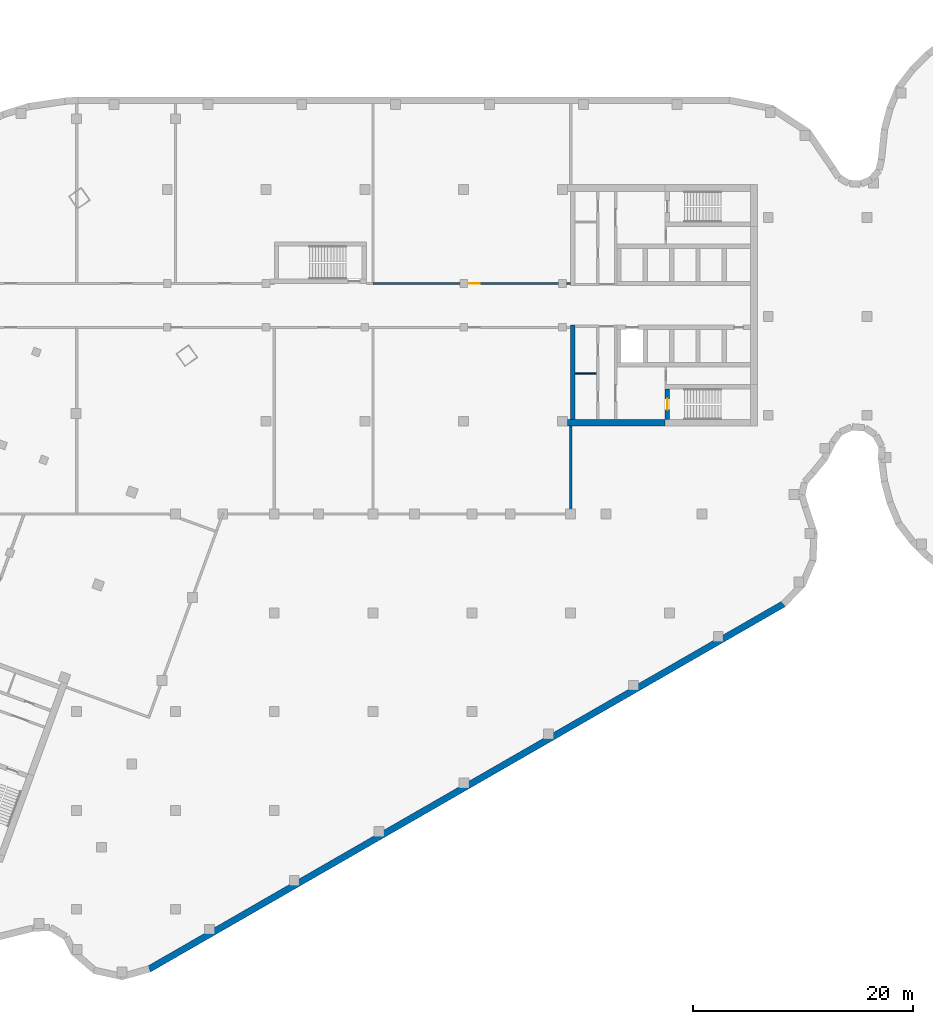
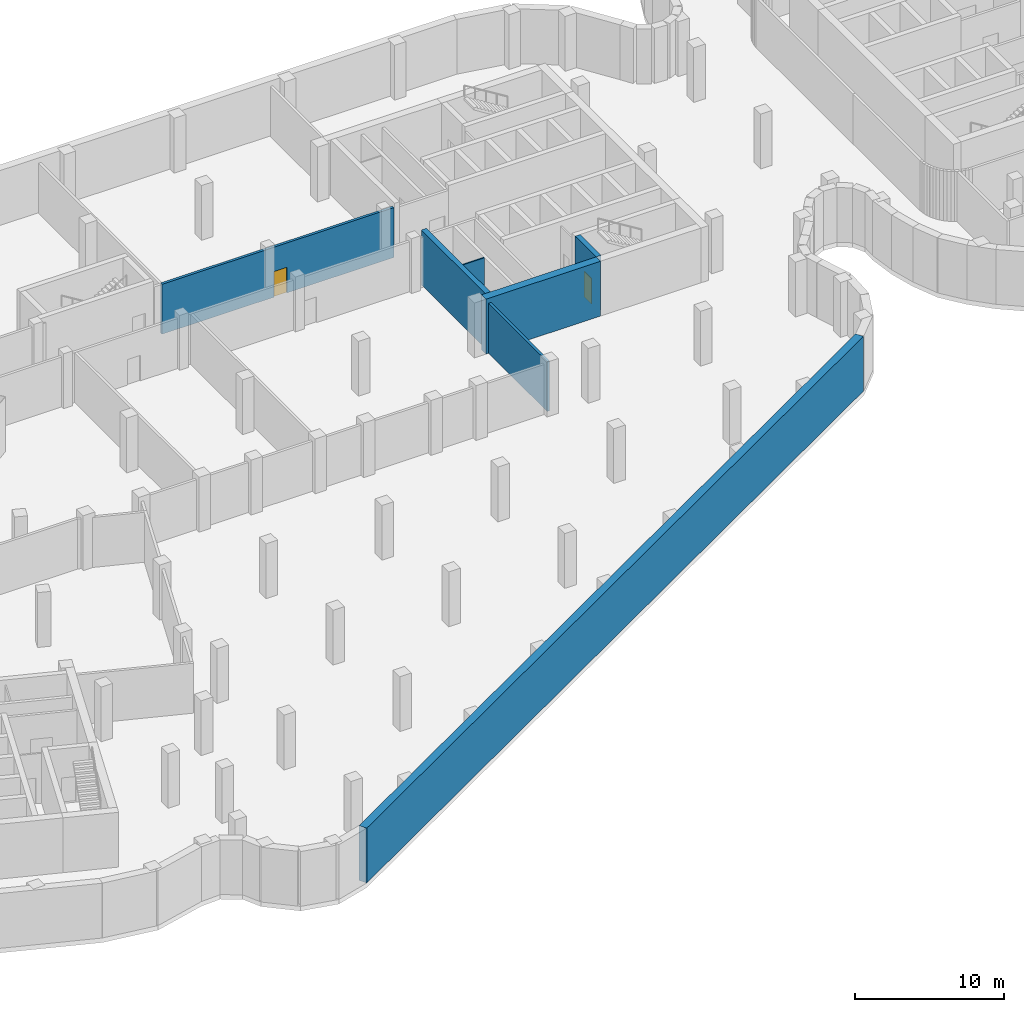
# One storey, part 6 of 16: 7 walls, 2 doors, 2 openings.
"""IFC4 building model written with IfcOpenShell, lengths in metres."""

from ifc_helpers import new_model, si_unit, direction, frame, frame_2d, origin, place, context, subcontext, project, spatial, rectangle, extrude, material, layer, layer_set, type_object, element, fill, save


model = new_model("IFC4")

# Units and contexts
model_context = context("Model", 3, precision=1e-05, world=origin(), true_north=direction((0.0, 1.0)))
body_context = subcontext(model_context, "Body", "Model", "MODEL_VIEW")
ifc_project = project(units=[si_unit("LENGTHUNIT", "METRE"), si_unit("AREAUNIT", "SQUARE_METRE"), si_unit("VOLUMEUNIT", "CUBIC_METRE"), si_unit("PLANEANGLEUNIT", "RADIAN"), si_unit("MASSUNIT", "GRAM", prefix="KILO")], contexts=[model_context])

# Site, building, storey
site_placement = place(None, origin())
site = spatial("IfcSite", under=ifc_project, at=site_placement, CompositionType="ELEMENT")
building_placement = place(site_placement, origin())
building = spatial("IfcBuilding", under=site, at=building_placement, Name="Skarvind Civic Tower", CompositionType="ELEMENT")
storey_placement = place(building_placement, frame((0.0, 0.0, -4.5)))
storey = spatial("IfcBuildingStorey", under=building, at=storey_placement, Name="B1", CompositionType="ELEMENT", Elevation=-4.5)

# Walls
ifc_material_1 = material(Name="Concrete C40", Category="concrete")
ifc_layer_1 = layer(ifc_material_1, 0.60009765625)
ifc_layer_set_1 = layer_set([ifc_layer_1], Name="Basement retaining wall 600 C40")
wall_type_1 = type_object("IfcWallType", Name="Basement retaining wall 600 C40", PredefinedType="SHEAR", material=ifc_layer_set_1)
wall_1_placement = place(storey_placement, frame((110.367919921875, 100.798095703125, 0.0), z_axis=(0.0, 0.0, 1.0), x_axis=(-0.866702553925, -0.498825303107, 0.0)))
element("IfcWall", 1, at=wall_1_placement, inside=storey, type_object=wall_type_1, Name="Basement retaining wall B1 88", PredefinedType="SHEAR", context=body_context, shape_type="SweptSolid", body=[
    extrude(rectangle(XDim=66.650634765625, YDim=0.60009765625, at=frame_2d((33.3251953125, 0.0))), origin(), (0.0, 0.0, 1.0), 4.5),
])
ifc_material_2 = material(Name="Fire-rated plasterboard partition")
ifc_layer_2 = layer(ifc_material_2, 0.10009765625)
ifc_layer_set_2 = layer_set([ifc_layer_2], Name="Core partition wall 100")
wall_type_2 = type_object("IfcWallType", Name="Core partition wall 100", PredefinedType="PARTITIONING", material=ifc_layer_set_2)
wall_2_placement = place(storey_placement, frame((93.35009765625, 121.800048828125, 0.0), z_axis=(0.0, 0.0, 1.0), x_axis=(-1.0, 0.0, 0.0)))
element("IfcWall", 2, at=wall_2_placement, inside=storey, type_object=wall_type_2, Name="Core wall C1", PredefinedType="PARTITIONING", context=body_context, shape_type="SweptSolid", body=[
    extrude(rectangle(XDim=1.9501953125, YDim=0.10009765625, at=frame_2d((0.97509765625, 0.0))), origin(), (0.0, 0.0, 1.0), 4.10009765625),
])

# Wall, opening, door
ifc_material_3 = material(Name="Concrete C80", Category="concrete")
ifc_layer_3 = layer(ifc_material_3, 0.39990234375)
ifc_layer_set_3 = layer_set([ifc_layer_3], Name="Core wall 400 C80")
wall_type_3 = type_object("IfcWallType", Name="Core wall 400 C80", PredefinedType="SHEAR", material=ifc_layer_set_3)
wall_3_placement = place(storey_placement, frame((99.800048828125, 120.39990234375, 0.0), z_axis=(0.0, 0.0, 1.0), x_axis=(0.0, -1.0, 0.0)))
wall_3 = element("IfcWall", 3, at=wall_3_placement, inside=storey, type_object=wall_type_3, Name="Core wall C1 north stair end B1", PredefinedType="SHEAR", context=body_context, shape_type="SweptSolid", body=[
    extrude(rectangle(XDim=2.7998046875, YDim=0.39990234375, at=frame_2d((1.39990234375, 0.0))), origin(), (0.0, 0.0, 1.0), 4.5),
])
opening_1_placement = place(wall_3_placement, frame((0.89990234375, 0.0, 0.0)))
opening_1 = element("IfcOpeningElement", 4, at=opening_1_placement, cuts=wall_3, Name="Opening D-B1-C1-05", PredefinedType="OPENING", context=body_context, shape_type="SweptSolid", body=[
    extrude(rectangle(XDim=1.0, YDim=2.10009765625, at=frame_2d((0.5, 1.050048828125))), frame((0.0, 0.2099609375, 0.0), z_axis=(0.0, -1.0, 0.0), x_axis=(1.0, 0.0, 0.0)), (0.0, 0.0, 1.0), 0.419921875),
])
ifc_material_4 = material(Name="Fire-rated steel door", Category="steel")
door_type_1 = type_object("IfcDoorType", Name="Fire door 1000", OperationType="NOTDEFINED", PredefinedType="DOOR", material=ifc_material_4)
door_1_placement = place(opening_1_placement, origin())
door_1 = element("IfcDoor", 5, at=door_1_placement, inside=storey, type_object=door_type_1, Name="Fire door", OperationType="SINGLE_SWING_LEFT", OverallHeight=2.10009765625, OverallWidth=1.0, PredefinedType="DOOR", context=body_context, shape_type="SweptSolid", body=[
    extrude(rectangle(XDim=1.0, YDim=2.10009765625, at=frame_2d((0.5, 1.050048828125))), frame((0.0, 0.02490234375, 0.0), z_axis=(0.0, -1.0, 0.0), x_axis=(1.0, 0.0, 0.0)), (0.0, 0.0, 1.0), 0.050048828125),
])
fill(opening_1, door_1)

# Walls
wall_4_placement = place(storey_placement, frame((91.199951171875, 126.199951171875, 0.0), z_axis=(0.0, 0.0, 1.0), x_axis=(0.0, -1.0, 0.0)))
element("IfcWall", 6, at=wall_4_placement, inside=storey, type_object=wall_type_3, Name="Core wall C1 north inner face B1", PredefinedType="SHEAR", context=body_context, shape_type="SweptSolid", body=[
    extrude(rectangle(XDim=8.599853515625, YDim=0.39990234375, at=frame_2d((4.2998046875, 0.0))), origin(), (0.0, 0.0, 1.0), 4.5),
])
ifc_layer_4 = layer(ifc_material_3, 0.60009765625)
ifc_layer_set_4 = layer_set([ifc_layer_4], Name="Core wall 600 C80")
wall_type_4 = type_object("IfcWallType", Name="Core wall 600 C80", PredefinedType="SHEAR", material=ifc_layer_set_4)
wall_5_placement = place(storey_placement, frame((99.60009765625, 117.300048828125, 0.0), z_axis=(0.0, 0.0, 1.0), x_axis=(-1.0, 0.0, 0.0)))
element("IfcWall", 7, at=wall_5_placement, inside=storey, type_object=wall_type_4, Name="Core wall C1 north side B1", PredefinedType="SHEAR", context=body_context, shape_type="SweptSolid", body=[
    extrude(rectangle(XDim=8.900146484375, YDim=0.60009765625, at=frame_2d((4.4501953125, 0.0))), origin(), (0.0, 0.0, 1.0), 4.5),
])

# Wall, opening, door
ifc_material_5 = material(Name="Fire-rated blockwork wall, plastered", Category="masonry")
ifc_layer_5 = layer(ifc_material_5, 0.199951171875)
ifc_layer_set_5 = layer_set([ifc_layer_5], Name="FIRE WALL 200 EI 120")
wall_type_5 = type_object("IfcWallType", Name="FIRE WALL 200 EI 120", PredefinedType="PARTITIONING", material=ifc_layer_set_5)
wall_6_placement = place(storey_placement, frame((73.0, 130.0, 0.0), z_axis=(0.0, 0.0, 1.0), x_axis=(1.0, 0.0, 0.0)))
wall_6 = element("IfcWall", 8, at=wall_6_placement, inside=storey, type_object=wall_type_5, Name="Basement partition B1 030", PredefinedType="PARTITIONING", context=body_context, shape_type="SweptSolid", body=[
    extrude(rectangle(XDim=18.0, YDim=0.199951171875, at=frame_2d((9.0, 0.0))), origin(), (0.0, 0.0, 1.0), 4.10009765625),
])
opening_2_placement = place(wall_6_placement, frame((8.697998046875, 0.0, 0.0)))
opening_2 = element("IfcOpeningElement", 9, at=opening_2_placement, cuts=wall_6, Name="Opening B1-D212", PredefinedType="OPENING", context=body_context, shape_type="SweptSolid", body=[
    extrude(rectangle(XDim=1.0, YDim=2.10009765625, at=frame_2d((0.5, 1.050048828125))), frame((0.0, 0.10986328125, 0.0), z_axis=(0.0, -1.0, 0.0), x_axis=(1.0, 0.0, 0.0)), (0.0, 0.0, 1.0), 0.219970703125),
])
ifc_material_6 = material(Name="Painted steel fire door leaf", Category="steel")
door_type_2 = type_object("IfcDoorType", Name="FIRE DOOR 1000X2100 STEEL", OperationType="NOTDEFINED", PredefinedType="DOOR", material=ifc_material_6)
door_2_placement = place(opening_2_placement, origin())
door_2 = element("IfcDoor", 10, at=door_2_placement, inside=storey, type_object=door_type_2, Name="FIRE DOOR", OperationType="SINGLE_SWING_RIGHT", OverallHeight=2.10009765625, OverallWidth=1.0, PredefinedType="DOOR", context=body_context, shape_type="SweptSolid", body=[
    extrude(rectangle(XDim=1.0, YDim=2.10009765625, at=frame_2d((0.5, 1.050048828125))), frame((0.0, 0.02490234375, 0.0), z_axis=(0.0, -1.0, 0.0), x_axis=(1.0, 0.0, 0.0)), (0.0, 0.0, 1.0), 0.050048828125),
])
fill(opening_2, door_2)

# Wall
ifc_layer_6 = layer(ifc_material_5, 0.199951171875)
ifc_layer_set_6 = layer_set([ifc_layer_6], Name="FIRE WALL 200 EI 60")
wall_type_6 = type_object("IfcWallType", Name="FIRE WALL 200 EI 60", PredefinedType="PARTITIONING", material=ifc_layer_set_6)
wall_7_placement = place(storey_placement, frame((91.0, 109.10009765625, 0.0), z_axis=(0.0, 0.0, 1.0), x_axis=(0.0, 1.0, 0.0)))
element("IfcWall", 11, at=wall_7_placement, inside=storey, type_object=wall_type_6, Name="Basement partition B1 031", PredefinedType="PARTITIONING", context=body_context, shape_type="SweptSolid", body=[
    extrude(rectangle(XDim=7.89990234375, YDim=0.199951171875, at=frame_2d((3.949951171875, 0.0))), origin(), (0.0, 0.0, 1.0), 4.10009765625),
])

save(model, "model.ifc")
